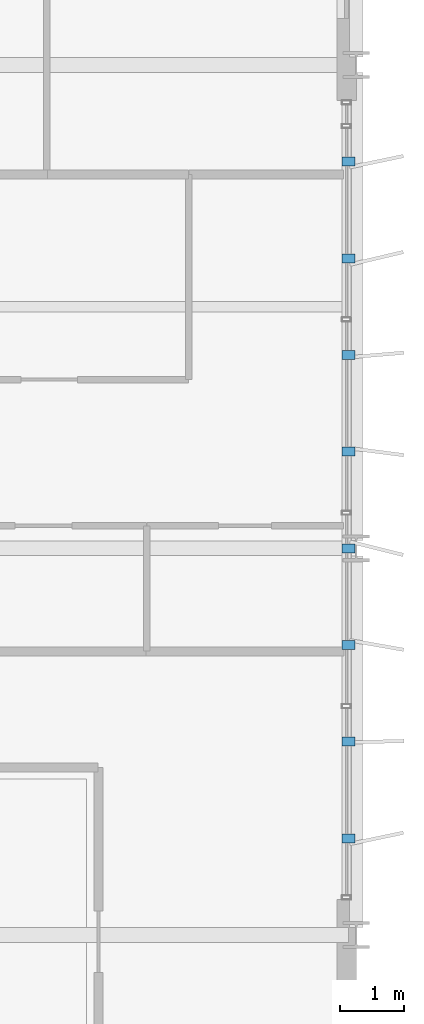
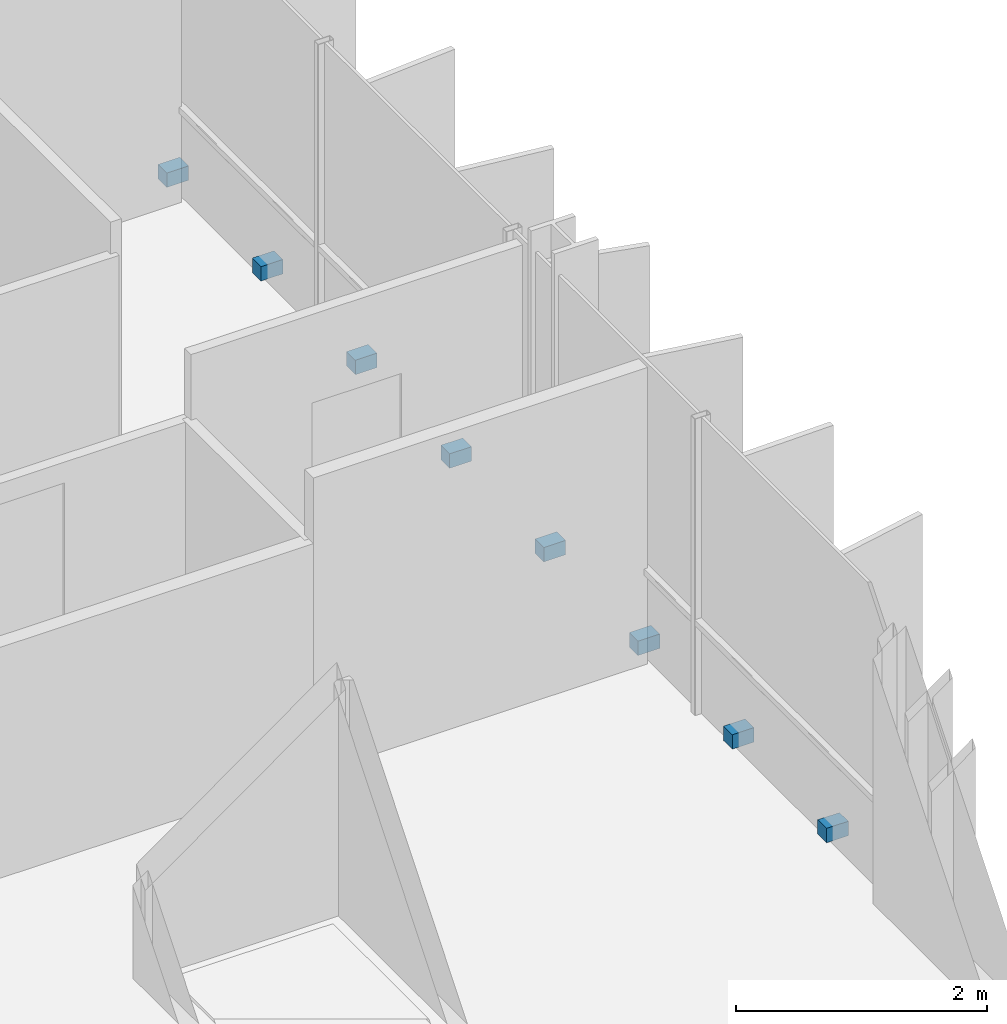
# One storey, part 35 of 38: 8 discrete accessories.
"""IFC4 building model written with IfcOpenShell, lengths in metres."""

from ifc_helpers import new_model, si_unit, direction, frame, origin, origin_2d, place, context, subcontext, project, spatial, rectangle, extrude, material, type_object, element, save


model = new_model("IFC4")

# Units and contexts
model_context = context("Model", 3, precision=1e-05, world=origin(), true_north=direction((0.0, 1.0)))
body_context = subcontext(model_context, "Body", "Model", "MODEL_VIEW")
ifc_project = project(units=[si_unit("LENGTHUNIT", "METRE"), si_unit("AREAUNIT", "SQUARE_METRE"), si_unit("VOLUMEUNIT", "CUBIC_METRE"), si_unit("PLANEANGLEUNIT", "RADIAN"), si_unit("MASSUNIT", "GRAM", prefix="KILO")], contexts=[model_context])

# Site, building, storey
site_placement = place(None, origin())
site = spatial("IfcSite", under=ifc_project, at=site_placement, CompositionType="ELEMENT")
building_placement = place(site_placement, origin())
building = spatial("IfcBuilding", under=site, at=building_placement, Name="Brevholm Reach", CompositionType="ELEMENT")
storey_placement = place(building_placement, frame((0.0, 0.0, 166.60009765625)))
storey = spatial("IfcBuildingStorey", under=building, at=storey_placement, Name="L50", CompositionType="ELEMENT", Elevation=166.60009765625)

# Discrete accessories
ifc_material = material(Name="Duplex Stainless Steel EN 1.4462", Category="steel")
discrete_accessory_type = type_object("IfcDiscreteAccessoryType", Name="ACC-BRK-01", PredefinedType="BRACKET", material=ifc_material)
for number, where, z_axis, x_axis, name in (
    (1, (59.8798828125, 11.5, 0.02978515625), (0.0, 0.0, 1.0), (1.0, 0.0, 0.0), "L50 Solar Screen Support Bracket 1"),
    (2, (59.8798828125, 13.0, 0.02978515625), (0.0, 0.0, 1.0), (1.0, 0.0, 0.0), "L50 Solar Screen Support Bracket 2"),
    (3, (59.8798828125, 14.5, 0.02978515625), (0.0, 0.0, 1.0), (1.0, 0.0, 0.0), "L50 Solar Screen Support Bracket 3"),
    (4, (59.8798828125, 16.0, 0.02978515625), (0.0, 0.0, 1.0), (1.0, 0.0, 0.0), "L50 Solar Screen Support Bracket 4"),
    (5, (59.8798828125, 17.5, 0.02978515625), (0.0, 0.0, 1.0), (1.0, 0.0, 0.0), "L50 Solar Screen Support Bracket 5"),
    (6, (59.8798828125, 19.0, 0.02978515625), (0.0, 0.0, 1.0), (1.0, 0.0, 0.0), "L50 Solar Screen Support Bracket 6"),
    (7, (59.8798828125, 20.5, 0.02978515625), (0.0, 0.0, 1.0), (1.0, 0.0, 0.0), "L50 Solar Screen Support Bracket 7"),
    (8, (59.8798828125, 22.0, 0.02978515625), (0.0, 0.0, 1.0), (1.0, 0.0, 0.0), "L50 Solar Screen Support Bracket 8"),
):
    element("IfcDiscreteAccessory", number, at=place(storey_placement, frame(where, z_axis=z_axis, x_axis=x_axis)), inside=storey, type_object=discrete_accessory_type, Name=name, PredefinedType="BRACKET", context=body_context, shape_type="SweptSolid", body=[
        extrude(rectangle(XDim=0.199951171875, YDim=0.139892578125, at=origin_2d()), origin(), (0.0, 0.0, 1.0), 0.139892578125),
    ])

save(model, "model.ifc")
